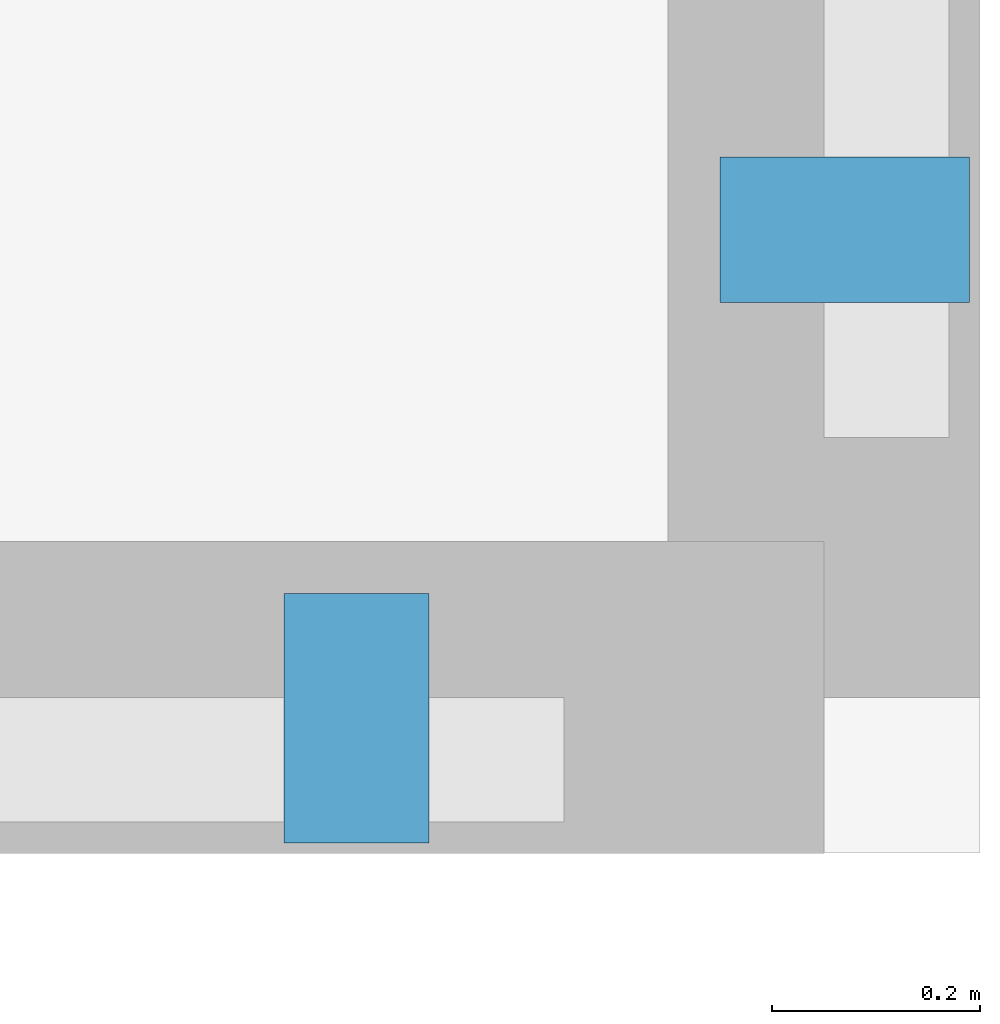
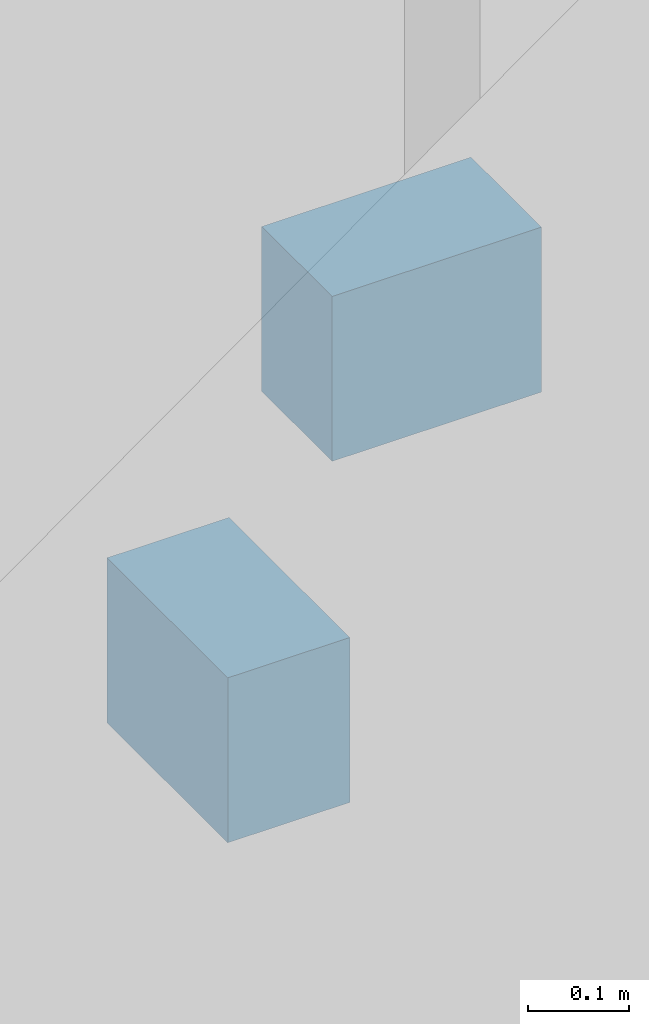
# One storey, part 17 of 21: 2 discrete accessories.
"""IFC4 building model written with IfcOpenShell, lengths in metres."""

from ifc_helpers import new_model, si_unit, direction, frame, origin, origin_2d, place, context, subcontext, project, spatial, rectangle, extrude, material, type_object, element, save


model = new_model("IFC4")

# Units and contexts
model_context = context("Model", 3, precision=1e-05, world=origin(), true_north=direction((0.0, 1.0)))
body_context = subcontext(model_context, "Body", "Model", "MODEL_VIEW")
ifc_project = project(units=[si_unit("LENGTHUNIT", "METRE"), si_unit("AREAUNIT", "SQUARE_METRE"), si_unit("VOLUMEUNIT", "CUBIC_METRE"), si_unit("PLANEANGLEUNIT", "RADIAN"), si_unit("MASSUNIT", "GRAM", prefix="KILO")], contexts=[model_context])

# Site, building, storey
site_placement = place(None, origin())
site = spatial("IfcSite", under=ifc_project, at=site_placement, CompositionType="ELEMENT")
building_placement = place(site_placement, origin())
building = spatial("IfcBuilding", under=site, at=building_placement, Name="Tarnavaz Court Tower", CompositionType="ELEMENT")
storey_placement = place(building_placement, frame((0.0, 0.0, 44.10009765625)))
storey = spatial("IfcBuildingStorey", under=building, at=storey_placement, Name="L11", CompositionType="ELEMENT", Elevation=44.10009765625)

# Discrete accessories
ifc_material = material(Name="Anodised Aluminium 6063-T6", Category="aluminium")
discrete_accessory_type = type_object("IfcDiscreteAccessoryType", Name="DA-BRKT-ALU", PredefinedType="BRACKET", material=ifc_material)
for number, where, z_axis, x_axis, name in (
    (1, (28.669921875, -18.60009765625, 1.75), (0.0, 0.0, 1.0), (0.0, -1.0, 0.0), "L11 Baguette Outrigger Bracket FBG12-2"),
    (2, (28.199951171875, -19.070068359375, 1.75), (0.0, 0.0, 1.0), (-1.0, 0.0, 0.0), "L11 Baguette Outrigger Bracket FBG13-1"),
):
    element("IfcDiscreteAccessory", number, at=place(storey_placement, frame(where, z_axis=z_axis, x_axis=x_axis)), inside=storey, type_object=discrete_accessory_type, Name=name, PredefinedType="BRACKET", context=body_context, shape_type="SweptSolid", body=[
        extrude(rectangle(XDim=0.139892578125, YDim=0.239990234375, at=origin_2d()), origin(), (0.0, 0.0, 1.0), 0.199951171875),
    ])

save(model, "model.ifc")
